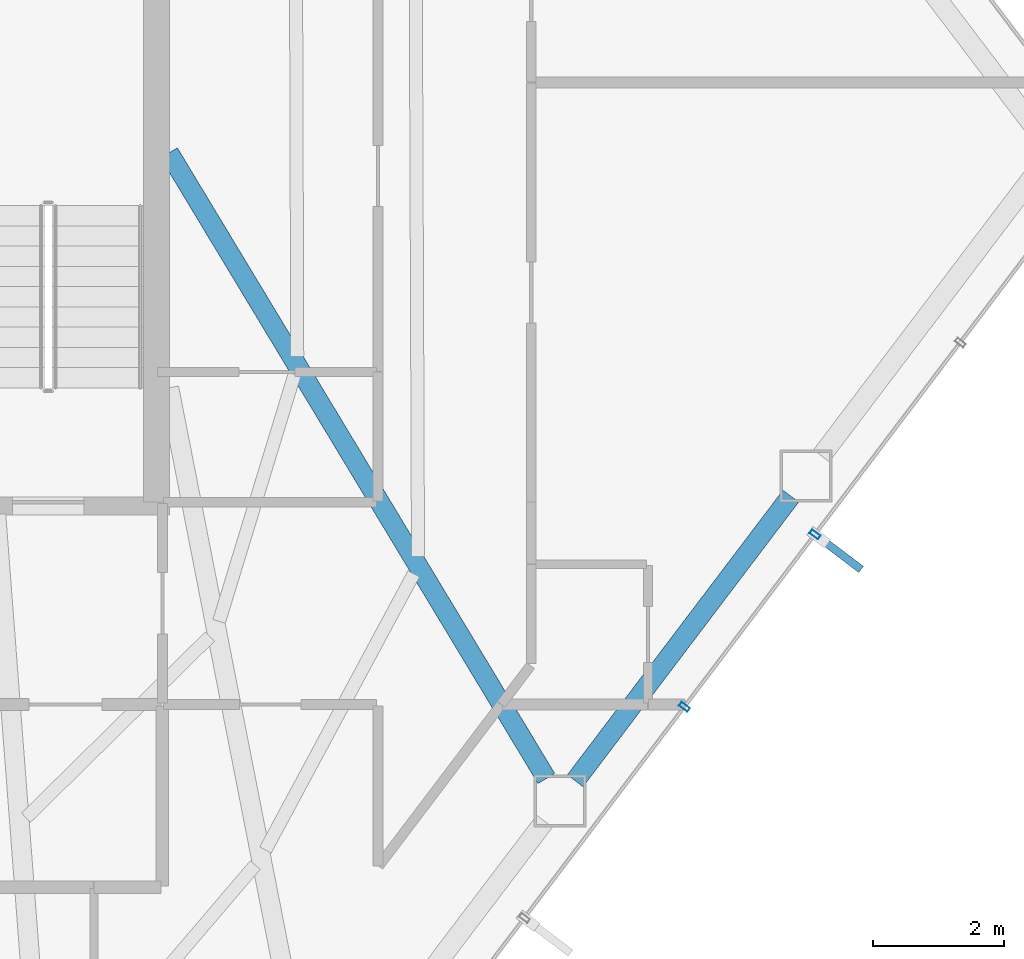
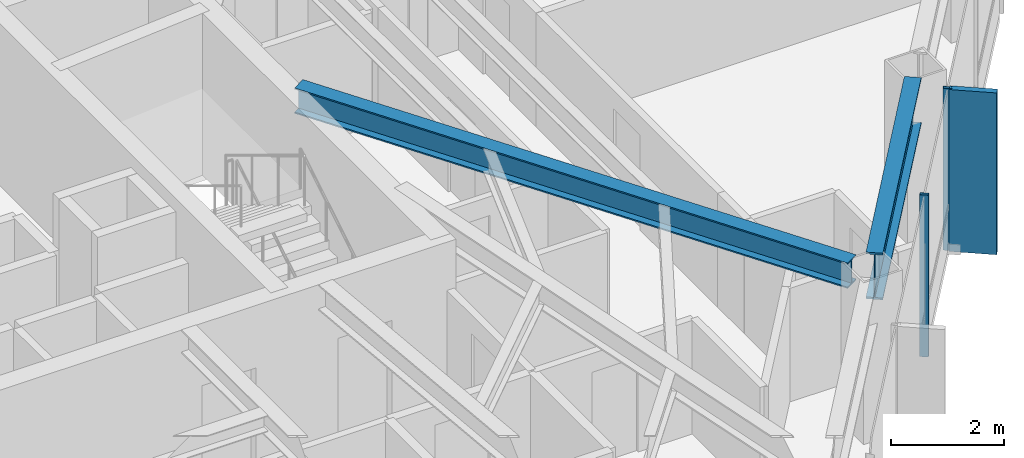
# One storey, part 19 of 28: 3 members, 2 beams, 1 element without a shape of its own.
"""IFC4 building model written with IfcOpenShell, lengths in metres."""

from ifc_helpers import new_model, si_unit, direction, frame, origin, origin_2d, place, context, subcontext, project, spatial, rectangle, hollow_rectangle, i_section, extrude, material, layer, layer_set, material_profile, profile_set, type_object, element, aggregate, save


model = new_model("IFC4")

# Units and contexts
model_context = context("Model", 3, precision=1e-05, world=origin(), true_north=direction((0.0, 1.0)))
body_context = subcontext(model_context, "Body", "Model", "MODEL_VIEW")
ifc_project = project(units=[si_unit("LENGTHUNIT", "METRE"), si_unit("AREAUNIT", "SQUARE_METRE"), si_unit("VOLUMEUNIT", "CUBIC_METRE"), si_unit("PLANEANGLEUNIT", "RADIAN"), si_unit("MASSUNIT", "GRAM", prefix="KILO")], contexts=[model_context])

# Site, building, storey
site_placement = place(None, origin())
site = spatial("IfcSite", under=ifc_project, at=site_placement, CompositionType="ELEMENT")
building_placement = place(site_placement, origin())
building = spatial("IfcBuilding", under=site, at=building_placement, Name="Zarrinselat Tower", CompositionType="ELEMENT")
storey_placement = place(building_placement, frame((0.0, 0.0, 127.159912109375)))
storey = spatial("IfcBuildingStorey", under=building, at=storey_placement, Name="L30", CompositionType="ELEMENT", Elevation=127.159912109375)

# Beams
ifc_material_1 = material(Name="Steel S355J2", Category="steel")
ifc_material_profile_1 = material_profile(ifc_material_1, i_section(OverallWidth=0.300048828125, OverallDepth=0.550048828125, WebThickness=0.014892578125, FlangeThickness=0.029052734375, at=origin_2d()), Name="HEB 550")
ifc_profile_set_1 = profile_set([ifc_material_profile_1], Name="Steel S355J2")
beam_type_1 = type_object("IfcBeamType", Name="BM-HEB550", PredefinedType="BEAM", material=ifc_profile_set_1)
beam_1_placement = place(storey_placement, frame((48.449951171875, 38.60009765625, 3.22509765625), z_axis=(0.516496217024, -0.856289470798, 0.0), x_axis=(0.856289470798, 0.516496217024, 0.0)))
element("IfcBeam", 1, at=beam_1_placement, inside=storey, type_object=beam_type_1, Name="L30 Radial Primary Girder RG13", PredefinedType="BEAM", context=body_context, shape_type="SweptSolid", body=[
    extrude(i_section(OverallWidth=0.300048828125, OverallDepth=0.550048828125, WebThickness=0.014892578125, FlangeThickness=0.029052734375, at=origin_2d()), origin(), (0.0, 0.0, 1.0), 11.19140625),
])
ifc_material_2 = material(Name="Steel S460M", Category="steel")
ifc_material_profile_2 = material_profile(ifc_material_2, i_section(OverallWidth=0.302001953125, OverallDepth=1.008056640625, WebThickness=0.02099609375, FlangeThickness=0.0400390625, at=origin_2d()), Name="HEM 1000")
ifc_profile_set_2 = profile_set([ifc_material_profile_2], Name="Steel S460M")
beam_type_2 = type_object("IfcBeamType", Name="BM-HEM1000", PredefinedType="BEAM", material=ifc_profile_set_2)
beam_2_placement = place(storey_placement, frame((54.672119140625, 28.982177734375, 2.99609375), z_axis=(0.603856828579, 0.797092799226, 0.0), x_axis=(-0.797092799226, 0.603856828579, 0.0)))
element("IfcBeam", 2, at=beam_2_placement, inside=storey, type_object=beam_type_2, Name="L30 Perimeter Spandrel Girder SP13", PredefinedType="BEAM", context=body_context, shape_type="SweptSolid", body=[
    extrude(i_section(OverallWidth=0.302001953125, OverallDepth=1.008056640625, WebThickness=0.02099609375, FlangeThickness=0.0400390625, at=origin_2d()), origin(), (0.0, 0.0, 1.0), 5.469482421875),
])

# Curtain wall, members
ifc_material_3 = material(Name="Extruded Aluminium Alloy EN AW-6063 T6", Category="aluminium")
ifc_layer = layer(ifc_material_3, 0.175048828125)
ifc_layer_set = layer_set([ifc_layer], Name="Extruded Aluminium Alloy EN AW-6063 T6")
curtain_wall_type = type_object("IfcCurtainWallType", Name="CWS-HTL", PredefinedType="NOTDEFINED", material=ifc_layer_set)
curtain_wall_placement = place(storey_placement, origin())
curtain_wall = element("IfcCurtainWall", 3, at=curtain_wall_placement, inside=storey, type_object=curtain_wall_type, Name="L30 Unitised Curtain Wall CW-L30-E05", PredefinedType="NOTDEFINED")
ifc_material_4 = material(Name="Extruded Aluminium Alloy EN AW-6063 T6", Category="aluminium")
ifc_material_profile_3 = material_profile(ifc_material_4, hollow_rectangle(XDim=0.070068359375, YDim=0.159912109375, WallThickness=0.00390625, at=origin_2d()), Name="RHS 160x70x4")
ifc_profile_set_3 = profile_set([ifc_material_profile_3], Name="Extruded Aluminium Alloy EN AW-6063 T6")
member_type_1 = type_object("IfcMemberType", Name="MEM-CW-MUL2", PredefinedType="MULLION", material=ifc_profile_set_3)
member_1_placement = place(storey_placement, frame((56.3447265625, 30.11376953125, 0.0), z_axis=(0.0, 0.0, 1.0), x_axis=(0.603858135777, 0.797091808926, 0.0)))
member_1 = element("IfcMember", 4, at=member_1_placement, type_object=member_type_1, Name="CW-L30-E05 Mullion 4", PredefinedType="MULLION", context=body_context, shape_type="SweptSolid", body=[
    extrude(hollow_rectangle(XDim=0.070068359375, YDim=0.159912109375, WallThickness=0.00390625, at=origin_2d()), origin(), (0.0, 0.0, 1.0), 3.5),
])
member_2_placement = place(storey_placement, frame((58.34521484375, 32.75439453125, 0.0), z_axis=(0.0, 0.0, 1.0), x_axis=(0.603858135777, 0.797091808926, 0.0)))
member_2 = element("IfcMember", 5, at=member_2_placement, type_object=member_type_1, Name="CW-L30-E05 Mullion 5", PredefinedType="MULLION", context=body_context, shape_type="SweptSolid", body=[
    extrude(hollow_rectangle(XDim=0.070068359375, YDim=0.159912109375, WallThickness=0.00390625, at=origin_2d()), origin(), (0.0, 0.0, 1.0), 3.5),
])
ifc_material_5 = material(Name="Honed Cream Travertine Stone", Category="masonry")
ifc_material_profile_4 = material_profile(ifc_material_5, rectangle(XDim=0.1201171875, YDim=0.85009765625, at=origin_2d()), Name="FIN 850x120")
ifc_profile_set_4 = profile_set([ifc_material_profile_4], Name="Honed Cream Travertine Stone")
member_type_2 = type_object("IfcMemberType", Name="MEM-STONE-FIN", PredefinedType="USERDEFINED", material=ifc_profile_set_4)
member_3_placement = place(storey_placement, frame((58.7119140625, 32.4765625, 0.0), z_axis=(0.0, 0.0, 1.0), x_axis=(-0.603858135777, -0.797091808926, 0.0)))
member_3 = element("IfcMember", 6, at=member_3_placement, type_object=member_type_2, Name="L30 Stone Shading Fin CW-L30-E05-05", ObjectType="FIN", PredefinedType="USERDEFINED", context=body_context, shape_type="SweptSolid", body=[
    extrude(rectangle(XDim=0.1201171875, YDim=0.85009765625, at=origin_2d()), origin(), (0.0, 0.0, 1.0), 3.5),
])
aggregate(curtain_wall, [member_1, member_2, member_3])

save(model, "model.ifc")
